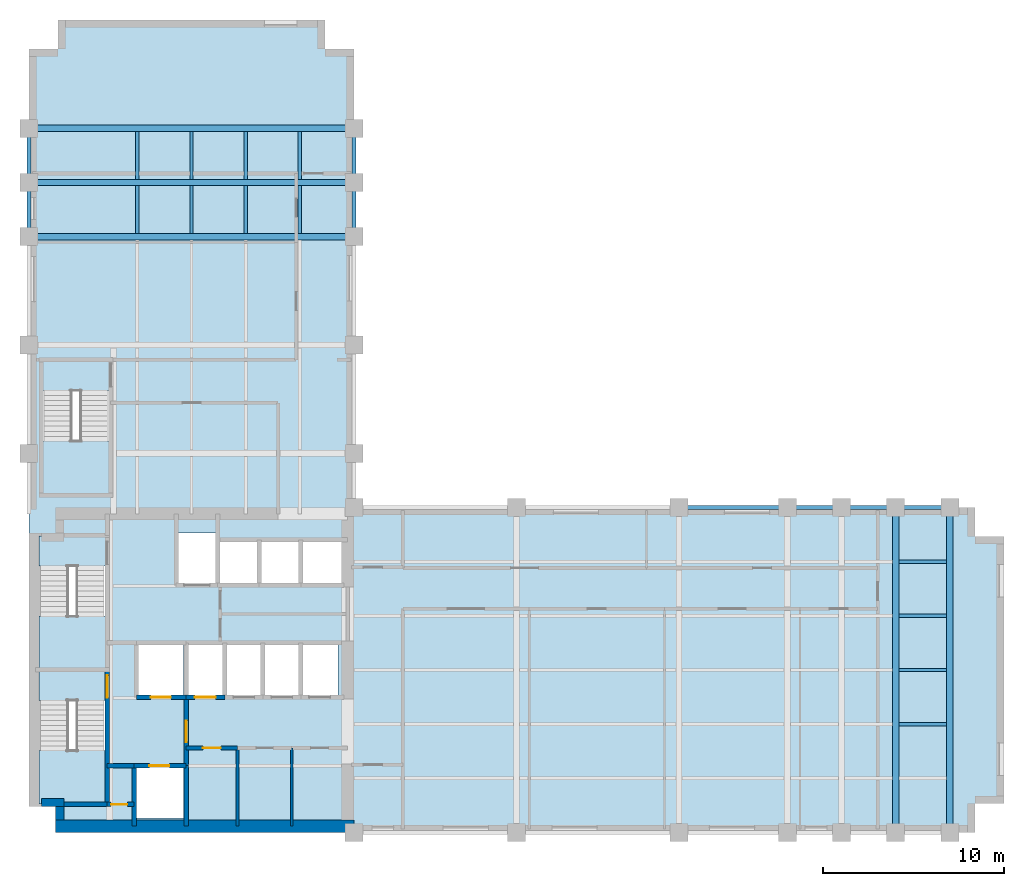
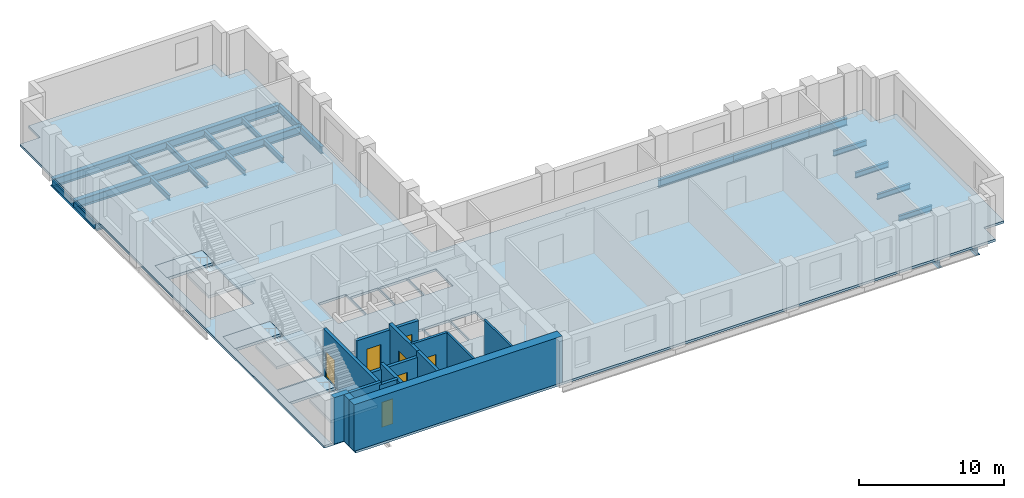
# One storey, part 2 of 7: 25 beams, 16 walls, 7 doors, 7 slabs, 7 openings, 3 elements without a shape of their own.
"""IFC4 building model written with IfcOpenShell, lengths in metres."""

from ifc_helpers import new_model, si_unit, direction, frame, frame_2d, origin, origin_2d, place, context, subcontext, project, spatial, polyline, rectangle, i_section, outline, extrude, material, layer, layer_set, material_profile, profile_set, type_object, element, fill, aggregate, save


model = new_model("IFC4")

# Units and contexts
model_context = context("Model", 3, precision=1e-05, world=origin(), true_north=direction((0.0, 1.0)))
body_context = subcontext(model_context, "Body", "Model", "MODEL_VIEW")
ifc_project = project(units=[si_unit("LENGTHUNIT", "METRE"), si_unit("AREAUNIT", "SQUARE_METRE"), si_unit("VOLUMEUNIT", "CUBIC_METRE"), si_unit("PLANEANGLEUNIT", "RADIAN"), si_unit("MASSUNIT", "GRAM", prefix="KILO")], contexts=[model_context])

# Site, building, storey
site_placement = place(None, origin())
site = spatial("IfcSite", under=ifc_project, at=site_placement, CompositionType="ELEMENT")
building_placement = place(site_placement, origin())
building = spatial("IfcBuilding", under=site, at=building_placement, Name="Mawjdan Bourse Tower", CompositionType="ELEMENT")
storey_placement = place(building_placement, frame((0.0, 0.0, 136.199951171875)))
storey = spatial("IfcBuildingStorey", under=building, at=storey_placement, Name="L32", CompositionType="ELEMENT", Elevation=136.199951171875)

# Beams
ifc_material_1 = material(Name="Structural Steel S355", Category="steel")
ifc_material_profile_1 = material_profile(ifc_material_1, i_section(OverallWidth=0.35498046875, OverallDepth=0.696044921875, WebThickness=0.015380859375, FlangeThickness=0.02490234375, FilletRadius=0.019775390625, at=origin_2d()), Name="W27X146")
ifc_profile_set_1 = profile_set([ifc_material_profile_1], Name="Structural Steel S355")
beam_type_1 = type_object("IfcBeamType", Name="GRD-W27X146", PredefinedType="BEAM", material=ifc_profile_set_1)
for number, where, z_axis, x_axis, name in (
    (1, (54.0, 3.0, -0.5478515625), (0.0, 1.0, 0.0), (-1.0, 0.0, 0.0), "L32 East Wing Clear-Span Girder 006"),
    (2, (57.0, 3.0, -0.5478515625), (0.0, 1.0, 0.0), (-1.0, 0.0, 0.0), "L32 East Wing Clear-Span Girder 007"),
    (3, (6.0, 36.0, -0.5478515625), (1.0, 0.0, 0.0), (0.0, 1.0, 0.0), "L32 North Wing Clear-Span Girder 057"),
    (4, (6.0, 39.0, -0.5478515625), (1.0, 0.0, 0.0), (0.0, 1.0, 0.0), "L32 North Wing Clear-Span Girder 058"),
    (5, (6.0, 42.0, -0.5478515625), (1.0, 0.0, 0.0), (0.0, 1.0, 0.0), "L32 North Wing Clear-Span Girder 059"),
):
    element("IfcBeam", number, at=place(storey_placement, frame(where, z_axis=z_axis, x_axis=x_axis)), inside=storey, type_object=beam_type_1, Name=name, PredefinedType="BEAM", context=body_context, shape_type="SweptSolid", body=[
        extrude(i_section(OverallWidth=0.35498046875, OverallDepth=0.696044921875, WebThickness=0.015380859375, FlangeThickness=0.02490234375, FilletRadius=0.019775390625, at=origin_2d()), origin(), (0.0, 0.0, 1.0), 18.0),
    ])
ifc_material_profile_2 = material_profile(ifc_material_1, i_section(OverallWidth=0.18994140625, OverallDepth=0.45703125, WebThickness=0.009033203125, FlangeThickness=0.014404296875, FilletRadius=0.01171875, at=origin_2d()), Name="W18X50")
ifc_profile_set_2 = profile_set([ifc_material_profile_2], Name="Structural Steel S355")
beam_type_2 = type_object("IfcBeamType", Name="JST-W18X50", PredefinedType="JOIST", material=ifc_profile_set_2)
for number, where, z_axis, x_axis, name in (
    (6, (54.175537109375, 9.0, -0.428466796875), (1.0, 0.0, 0.0), (0.0, 1.0, 0.0), "L32 East Wing Composite Joist 031"),
    (7, (54.175537109375, 12.0, -0.428466796875), (1.0, 0.0, 0.0), (0.0, 1.0, 0.0), "L32 East Wing Composite Joist 037"),
    (8, (54.175537109375, 15.0, -0.428466796875), (1.0, 0.0, 0.0), (0.0, 1.0, 0.0), "L32 East Wing Composite Joist 043"),
    (9, (54.175537109375, 18.0, -0.428466796875), (1.0, 0.0, 0.0), (0.0, 1.0, 0.0), "L32 East Wing Composite Joist 049"),
    (10, (12.0, 36.175537109375, -0.428466796875), (0.0, 1.0, 0.0), (-1.0, 0.0, 0.0), "L32 North Wing Composite Joist 073"),
    (11, (12.0, 39.175537109375, -0.428466796875), (0.0, 1.0, 0.0), (-1.0, 0.0, 0.0), "L32 North Wing Composite Joist 074"),
    (12, (15.0, 36.175537109375, -0.428466796875), (0.0, 1.0, 0.0), (-1.0, 0.0, 0.0), "L32 North Wing Composite Joist 078"),
    (13, (15.0, 39.175537109375, -0.428466796875), (0.0, 1.0, 0.0), (-1.0, 0.0, 0.0), "L32 North Wing Composite Joist 079"),
    (14, (18.0, 36.175537109375, -0.428466796875), (0.0, 1.0, 0.0), (-1.0, 0.0, 0.0), "L32 North Wing Composite Joist 083"),
    (15, (18.0, 39.175537109375, -0.428466796875), (0.0, 1.0, 0.0), (-1.0, 0.0, 0.0), "L32 North Wing Composite Joist 084"),
    (16, (21.0, 36.175537109375, -0.428466796875), (0.0, 1.0, 0.0), (-1.0, 0.0, 0.0), "L32 North Wing Composite Joist 088"),
    (17, (21.0, 39.175537109375, -0.428466796875), (0.0, 1.0, 0.0), (-1.0, 0.0, 0.0), "L32 North Wing Composite Joist 089"),
):
    element("IfcBeam", number, at=place(storey_placement, frame(where, z_axis=z_axis, x_axis=x_axis)), inside=storey, type_object=beam_type_2, Name=name, PredefinedType="JOIST", context=body_context, shape_type="SweptSolid", body=[
        extrude(i_section(OverallWidth=0.18994140625, OverallDepth=0.45703125, WebThickness=0.009033203125, FlangeThickness=0.014404296875, FilletRadius=0.01171875, at=origin_2d()), origin(), (0.0, 0.0, 1.0), 2.64892578125),
    ])
ifc_material_profile_3 = material_profile(ifc_material_1, i_section(OverallWidth=0.22998046875, OverallDepth=0.616943359375, WebThickness=0.01318359375, FlangeThickness=0.022216796875, FilletRadius=0.017822265625, at=origin_2d()), Name="W24X94")
ifc_profile_set_3 = profile_set([ifc_material_profile_3], Name="Structural Steel S355")
beam_type_3 = type_object("IfcBeamType", Name="SPN-W24X94", PredefinedType="SPANDREL", material=ifc_profile_set_3)
beam_placement = place(storey_placement, frame((42.0, 21.0, -0.508544921875), z_axis=(1.0, 0.0, 0.0), x_axis=(0.0, 1.0, 0.0)))
element("IfcBeam", 18, at=beam_placement, inside=storey, type_object=beam_type_3, Name="L32 Perimeter Masonry-Shelf Spandrel 016", PredefinedType="SPANDREL", context=body_context, shape_type="SweptSolid", body=[
    extrude(i_section(OverallWidth=0.22998046875, OverallDepth=0.616943359375, WebThickness=0.01318359375, FlangeThickness=0.022216796875, FilletRadius=0.017822265625, at=origin_2d()), origin(), (0.0, 0.0, 1.0), 6.0),
])
for number, where, z_axis, x_axis, name in (
    (19, (48.0, 21.0, -0.508544921875), (1.0, 0.0, 0.0), (0.0, 1.0, 0.0), "L32 Perimeter Masonry-Shelf Spandrel 017"),
    (20, (51.0, 21.0, -0.508544921875), (1.0, 0.0, 0.0), (0.0, 1.0, 0.0), "L32 Perimeter Masonry-Shelf Spandrel 018"),
    (21, (54.0, 21.0, -0.508544921875), (1.0, 0.0, 0.0), (0.0, 1.0, 0.0), "L32 Perimeter Masonry-Shelf Spandrel 019"),
    (22, (6.0, 36.0, -0.508544921875), (0.0, 1.0, 0.0), (-1.0, 0.0, 0.0), "L32 North Wing Spandrel 063"),
    (23, (6.0, 39.0, -0.508544921875), (0.0, 1.0, 0.0), (-1.0, 0.0, 0.0), "L32 North Wing Spandrel 064"),
    (24, (24.0, 36.0, -0.508544921875), (0.0, 1.0, 0.0), (-1.0, 0.0, 0.0), "L32 North Wing Spandrel 068"),
    (25, (24.0, 39.0, -0.508544921875), (0.0, 1.0, 0.0), (-1.0, 0.0, 0.0), "L32 North Wing Spandrel 069"),
):
    element("IfcBeam", number, at=place(storey_placement, frame(where, z_axis=z_axis, x_axis=x_axis)), inside=storey, type_object=beam_type_3, Name=name, PredefinedType="SPANDREL", context=body_context, shape_type="SweptSolid", body=[
        extrude(i_section(OverallWidth=0.22998046875, OverallDepth=0.616943359375, WebThickness=0.01318359375, FlangeThickness=0.022216796875, FilletRadius=0.017822265625, at=origin_2d()), origin(), (0.0, 0.0, 1.0), 3.0),
    ])

# Stair, slabs
ifc_material_2 = material(Name="Concrete C50/60", Category="concrete")
stair_type = type_object("IfcStairType", Name="STR-CORE-1500", PredefinedType="HALF_TURN_STAIR", material=ifc_material_2)
stair_1_placement = place(storey_placement, origin())
stair_1 = element("IfcStair", 26, at=stair_1_placement, inside=storey, type_object=stair_type, Name="L32 Exit Stair 1 (Core South-West)", PredefinedType="HALF_TURN_STAIR")
ifc_layer_1 = layer(ifc_material_2, 0.22998046875)
ifc_layer_set_1 = layer_set([ifc_layer_1], Name="Concrete C50/60")
slab_type_1 = type_object("IfcSlabType", Name="SL-LND-230", PredefinedType="LANDING", material=ifc_layer_set_1)
slab_1_placement = place(storey_placement, frame((0.0, 0.0, -0.22998046875)))
slab_1 = element("IfcSlab", 27, at=slab_1_placement, type_object=slab_type_1, Name="ST1-L32 landing 1", PredefinedType="LANDING", context=body_context, shape_type="SweptSolid", body=[
    extrude(outline(polyline([(6.5400390625, 10.31005859375), (10.260009765625, 10.31005859375), (10.260009765625, 11.969970703125), (6.5400390625, 11.969970703125), (6.5400390625, 10.31005859375)])), origin(), (0.0, 0.0, 1.0), 0.22998046875),
])
slab_2_placement = place(storey_placement, frame((0.0, 0.0, 1.719970703125)))
slab_2 = element("IfcSlab", 28, at=slab_2_placement, type_object=slab_type_1, Name="ST1-L32 landing 2", PredefinedType="LANDING", context=body_context, shape_type="SweptSolid", body=[
    extrude(outline(polyline([(6.5400390625, 4.590087890625), (10.260009765625, 4.590087890625), (10.260009765625, 7.5400390625), (6.5400390625, 7.5400390625), (6.5400390625, 4.590087890625)])), origin(), (0.0, 0.0, 1.0), 0.22998046875),
])
aggregate(stair_1, [slab_1, slab_2])

stair_2_placement = place(storey_placement, origin())
stair_2 = element("IfcStair", 29, at=stair_2_placement, inside=storey, type_object=stair_type, Name="L32 Exit Stair 2 (Core North-West)", PredefinedType="HALF_TURN_STAIR")
slab_3_placement = place(storey_placement, frame((0.0, 0.0, -0.22998046875)))
slab_3 = element("IfcSlab", 30, at=slab_3_placement, type_object=slab_type_1, Name="ST2-L32 landing 1", PredefinedType="LANDING", context=body_context, shape_type="SweptSolid", body=[
    extrude(outline(polyline([(6.5400390625, 17.75), (10.260009765625, 17.75), (10.260009765625, 19.409912109375), (6.5400390625, 19.409912109375), (6.5400390625, 17.75)])), origin(), (0.0, 0.0, 1.0), 0.22998046875),
])
slab_4_placement = place(storey_placement, frame((0.0, 0.0, 1.719970703125)))
slab_4 = element("IfcSlab", 31, at=slab_4_placement, type_object=slab_type_1, Name="ST2-L32 landing 2", PredefinedType="LANDING", context=body_context, shape_type="SweptSolid", body=[
    extrude(outline(polyline([(6.5400390625, 12.030029296875), (10.260009765625, 12.030029296875), (10.260009765625, 14.97998046875), (6.5400390625, 14.97998046875), (6.5400390625, 12.030029296875)])), origin(), (0.0, 0.0, 1.0), 0.22998046875),
])
aggregate(stair_2, [slab_3, slab_4])

stair_3_placement = place(storey_placement, origin())
stair_3 = element("IfcStair", 32, at=stair_3_placement, inside=storey, type_object=stair_type, Name="L32 Exit Stair 3 (North Wing)", PredefinedType="HALF_TURN_STAIR")
slab_5_placement = place(storey_placement, frame((0.0, 0.0, -0.22998046875)))
slab_5 = element("IfcSlab", 33, at=slab_5_placement, type_object=slab_type_1, Name="ST3-L32 landing 1", PredefinedType="LANDING", context=body_context, shape_type="SweptSolid", body=[
    extrude(outline(polyline([(6.739990234375, 27.4599609375), (10.4599609375, 27.4599609375), (10.4599609375, 29.1201171875), (6.739990234375, 29.1201171875), (6.739990234375, 27.4599609375)])), origin(), (0.0, 0.0, 1.0), 0.22998046875),
])
slab_6_placement = place(storey_placement, frame((0.0, 0.0, 1.719970703125)))
slab_6 = element("IfcSlab", 34, at=slab_6_placement, type_object=slab_type_1, Name="ST3-L32 landing 2", PredefinedType="LANDING", context=body_context, shape_type="SweptSolid", body=[
    extrude(outline(polyline([(6.739990234375, 21.739990234375), (10.4599609375, 21.739990234375), (10.4599609375, 24.68994140625), (6.739990234375, 24.68994140625), (6.739990234375, 21.739990234375)])), origin(), (0.0, 0.0, 1.0), 0.22998046875),
])
aggregate(stair_3, [slab_5, slab_6])

# Slab
ifc_layer_2 = layer(ifc_material_2, 0.199951171875)
ifc_layer_set_2 = layer_set([ifc_layer_2], Name="Concrete C50/60")
slab_type_2 = type_object("IfcSlabType", Name="SL-OFC-200", PredefinedType="FLOOR", material=ifc_layer_set_2)
slab_7_placement = place(storey_placement, frame((0.0, 0.0, -0.199951171875)))
element("IfcSlab", 35, at=slab_7_placement, inside=storey, type_object=slab_type_2, Name="L32 Structural Floor Slab 1", PredefinedType="FLOOR", context=body_context, shape_type="SweptSolid", body=[
    extrude(outline(polyline([(7.60009765625, 3.0), (58.39990234375, 3.0), (58.39990234375, 4.60009765625), (60.0, 4.60009765625), (60.0, 19.39990234375), (58.39990234375, 19.39990234375), (58.39990234375, 21.0), (24.0, 21.0), (24.0, 46.39990234375), (22.39990234375, 46.39990234375), (22.39990234375, 48.0), (7.60009765625, 48.0), (7.60009765625, 46.39990234375), (6.0, 46.39990234375), (6.0, 4.60009765625), (7.60009765625, 4.60009765625), (7.60009765625, 3.0)]), holes=[polyline([(11.949951171875, 3.800048828125), (11.949951171875, 6.60009765625), (14.550048828125, 6.60009765625), (14.550048828125, 3.800048828125), (11.949951171875, 3.800048828125)]), polyline([(6.60009765625, 10.31005859375), (6.5400390625, 10.31005859375), (6.5400390625, 11.969970703125), (10.260009765625, 11.969970703125), (10.260009765625, 10.31005859375), (10.199951171875, 10.31005859375), (10.199951171875, 4.64990234375), (6.60009765625, 4.64990234375), (6.60009765625, 10.31005859375)]), polyline([(12.050048828125, 10.60009765625), (12.050048828125, 13.39990234375), (14.550048828125, 13.39990234375), (14.550048828125, 10.60009765625), (12.050048828125, 10.60009765625)]), polyline([(10.260009765625, 19.409912109375), (10.260009765625, 17.75), (10.199951171875, 17.75), (10.199951171875, 12.090087890625), (6.60009765625, 12.090087890625), (6.60009765625, 17.75), (6.5400390625, 17.75), (6.5400390625, 19.409912109375), (10.260009765625, 19.409912109375)]), polyline([(10.4599609375, 29.1201171875), (10.4599609375, 27.4599609375), (10.39990234375, 27.4599609375), (10.39990234375, 21.800048828125), (6.800048828125, 21.800048828125), (6.800048828125, 27.4599609375), (6.739990234375, 27.4599609375), (6.739990234375, 29.1201171875), (10.4599609375, 29.1201171875)]), polyline([(14.800048828125, 10.60009765625), (14.800048828125, 13.39990234375), (16.800048828125, 13.39990234375), (16.800048828125, 10.60009765625), (14.800048828125, 10.60009765625)]), polyline([(16.89990234375, 10.60009765625), (16.89990234375, 13.39990234375), (18.89990234375, 13.39990234375), (18.89990234375, 10.60009765625), (16.89990234375, 10.60009765625)]), polyline([(19.0, 10.60009765625), (19.0, 13.39990234375), (21.0, 13.39990234375), (21.0, 10.60009765625), (19.0, 10.60009765625)]), polyline([(21.10009765625, 10.60009765625), (21.10009765625, 13.39990234375), (23.10009765625, 13.39990234375), (23.10009765625, 10.60009765625), (21.10009765625, 10.60009765625)]), polyline([(16.5, 16.800048828125), (16.5, 19.14990234375), (18.699951171875, 19.14990234375), (18.699951171875, 16.800048828125), (16.5, 16.800048828125)]), polyline([(18.800048828125, 16.800048828125), (18.800048828125, 19.14990234375), (21.0, 19.14990234375), (21.0, 16.800048828125), (18.800048828125, 16.800048828125)]), polyline([(21.10009765625, 16.800048828125), (21.10009765625, 19.14990234375), (23.300048828125, 19.14990234375), (23.300048828125, 16.800048828125), (21.10009765625, 16.800048828125)]), polyline([(14.199951171875, 16.800048828125), (14.199951171875, 19.60009765625), (16.39990234375, 19.60009765625), (16.39990234375, 16.800048828125), (14.199951171875, 16.800048828125)])]), origin(), (0.0, 0.0, 1.0), 0.199951171875),
])

# Wall, opening, door
ifc_material_3 = material(Name="Gypsum Fireboard Assembly")
ifc_layer_3 = layer(ifc_material_3, 0.199951171875)
ifc_layer_set_3 = layer_set([ifc_layer_3], Name="Gypsum Fireboard Assembly")
wall_type_1 = type_object("IfcWallType", Name="WL-CMP-200", PredefinedType="PARTITIONING", material=ifc_layer_set_3)
wall_1_placement = place(storey_placement, frame((14.699951171875, 7.679931640625, 0.0), z_axis=(0.0, 0.0, 1.0), x_axis=(1.0, 0.0, 0.0)))
wall_1 = element("IfcWall", 36, at=wall_1_placement, inside=storey, type_object=wall_type_1, Name="L32 Archive & Records Office North Wall", PredefinedType="PARTITIONING", context=body_context, shape_type="SweptSolid", body=[
    extrude(rectangle(XDim=2.85009765625, YDim=0.199951171875, at=frame_2d((1.425048828125, 0.0))), origin(), (0.0, 0.0, 1.0), 3.68994140625),
])
opening_1_placement = place(wall_1_placement, frame((0.925048828125, 0.0, 0.0)))
opening_1 = element("IfcOpeningElement", 37, at=opening_1_placement, cuts=wall_1, Name="Opening D-L32-10", PredefinedType="OPENING", context=body_context, shape_type="SweptSolid", body=[
    extrude(rectangle(XDim=1.0, YDim=2.14990234375, at=frame_2d((0.5, 1.074951171875))), frame((0.0, 0.10986328125, 0.0), z_axis=(0.0, -1.0, 0.0), x_axis=(1.0, 0.0, 0.0)), (0.0, 0.0, 1.0), 0.219970703125),
])
ifc_material_4 = material(Name="Hardwood Acoustic Leaf", Category="wood")
door_type_1 = type_object("IfcDoorType", Name="DR-OFC-1000", OperationType="NOTDEFINED", PredefinedType="DOOR", material=ifc_material_4)
door_1_placement = place(opening_1_placement, origin())
door_1 = element("IfcDoor", 38, at=door_1_placement, inside=storey, type_object=door_type_1, Name="L32 Archive & Records Office Door D-L32-10", OperationType="SINGLE_SWING_LEFT", OverallHeight=2.14990234375, OverallWidth=1.0, PredefinedType="DOOR", context=body_context, shape_type="SweptSolid", body=[
    extrude(rectangle(XDim=1.0, YDim=2.14990234375, at=frame_2d((0.5, 1.074951171875))), frame((0.0, 0.02490234375, 0.0), z_axis=(0.0, -1.0, 0.0), x_axis=(1.0, 0.0, 0.0)), (0.0, 0.0, 1.0), 0.050048828125),
])
fill(opening_1, door_1)

# Walls
ifc_material_5 = material(Name="Concrete C60/75", Category="concrete")
ifc_layer_4 = layer(ifc_material_5, 0.449951171875)
ifc_layer_set_4 = layer_set([ifc_layer_4], Name="Concrete C60/75")
wall_type_2 = type_object("IfcWallType", Name="WL-CORE-450", PredefinedType="SHEAR", material=ifc_layer_set_4)
wall_2_placement = place(storey_placement, frame((6.699951171875, 4.64990234375, 0.0), z_axis=(0.0, 0.0, 1.0), x_axis=(1.0, 0.0, 0.0)))
element("IfcWall", 39, at=wall_2_placement, inside=storey, type_object=wall_type_2, Name="L32 Rear Core Shear Wall SW-X", PredefinedType="SHEAR", context=body_context, shape_type="SweptSolid", body=[
    extrude(rectangle(XDim=1.22509765625, YDim=0.449951171875, at=frame_2d((0.612548828125, 0.0))), origin(), (0.0, 0.0, 1.0), 3.900146484375),
])
wall_3_placement = place(storey_placement, frame((7.699951171875, 3.699951171875, 0.0), z_axis=(0.0, 0.0, 1.0), x_axis=(0.0, 1.0, 0.0)))
element("IfcWall", 40, at=wall_3_placement, inside=storey, type_object=wall_type_2, Name="L32 Rear Core Shear Wall SW-Y", PredefinedType="SHEAR", context=body_context, shape_type="SweptSolid", body=[
    extrude(rectangle(XDim=0.72509765625, YDim=0.449951171875, at=frame_2d((0.362548828125, 0.0))), origin(), (0.0, 0.0, 1.0), 3.900146484375),
])
ifc_material_6 = material(Name="Concrete C70/85", Category="concrete")
ifc_layer_5 = layer(ifc_material_6, 0.699951171875)
ifc_layer_set_5 = layer_set([ifc_layer_5], Name="Concrete C70/85")
wall_type_3 = type_object("IfcWallType", Name="WL-CORE-700", PredefinedType="SHEAR", material=ifc_layer_set_5)
wall_4_placement = place(storey_placement, frame((7.47509765625, 3.35009765625, 0.0), z_axis=(0.0, 0.0, 1.0), x_axis=(1.0, 0.0, 0.0)))
element("IfcWall", 41, at=wall_4_placement, inside=storey, type_object=wall_type_3, Name="L32 Rear Core Shear Wall S", PredefinedType="SHEAR", context=body_context, shape_type="SweptSolid", body=[
    extrude(rectangle(XDim=16.52490234375, YDim=0.699951171875, at=frame_2d((8.262451171875, 0.0))), origin(), (0.0, 0.0, 1.0), 3.900146484375),
])
ifc_material_7 = material(Name="Gypsum Acoustic Partition")
ifc_layer_6 = layer(ifc_material_7, 0.14990234375)
ifc_layer_set_6 = layer_set([ifc_layer_6], Name="Gypsum Acoustic Partition")
wall_type_4 = type_object("IfcWallType", Name="WL-PRT-150", PredefinedType="PARTITIONING", material=ifc_layer_set_6)
for number, where, z_axis, x_axis, name in (
    (42, (17.550048828125, 3.35009765625, 0.0), (0.0, 0.0, 1.0), (0.0, 1.0, 0.0), "L32 IT & Fiber Patch Room Core Split Wall"),
    (43, (20.550048828125, 3.35009765625, 0.0), (0.0, 0.0, 1.0), (0.0, 1.0, 0.0), "L32 Staff Tea Pantry Core Split Wall"),
):
    element("IfcWall", number, at=place(storey_placement, frame(where, z_axis=z_axis, x_axis=x_axis)), inside=storey, type_object=wall_type_4, Name=name, PredefinedType="PARTITIONING", context=body_context, shape_type="SweptSolid", body=[
        extrude(rectangle(XDim=4.329833984375, YDim=0.14990234375, at=frame_2d((2.1650390625, 0.0))), origin(), (0.0, 0.0, 1.0), 3.68994140625),
    ])

# Wall, opening, door
ifc_layer_7 = layer(ifc_material_2, 0.25)
ifc_layer_set_7 = layer_set([ifc_layer_7], Name="Concrete C50/60")
wall_type_5 = type_object("IfcWallType", Name="WL-SHFT-250", PredefinedType="PARTITIONING", material=ifc_layer_set_7)
wall_5_placement = place(storey_placement, frame((10.330078125, 4.550048828125, 0.0), z_axis=(0.0, 0.0, 1.0), x_axis=(1.0, 0.0, 0.0)))
wall_5 = element("IfcWall", 44, at=wall_5_placement, inside=storey, type_object=wall_type_5, Name="L32 SW Riser North Wall", PredefinedType="PARTITIONING", context=body_context, shape_type="SweptSolid", body=[
    extrude(rectangle(XDim=1.489990234375, YDim=0.25, at=frame_2d((0.7451171875, 0.0))), origin(), (0.0, 0.0, 1.0), 3.68994140625),
])
opening_2_placement = place(wall_5_placement, frame((0.219970703125, 0.0, 0.0)))
opening_2 = element("IfcOpeningElement", 45, at=opening_2_placement, cuts=wall_5, Name="Opening RD-L32-03", PredefinedType="OPENING", context=body_context, shape_type="SweptSolid", body=[
    extrude(rectangle(XDim=0.89990234375, YDim=2.10009765625, at=frame_2d((0.449951171875, 1.050048828125))), frame((0.0, 0.135009765625, 0.0), z_axis=(0.0, -1.0, 0.0), x_axis=(1.0, 0.0, 0.0)), (0.0, 0.0, 1.0), 0.27001953125),
])
ifc_material_8 = material(Name="Fire-Rated Steel Access Leaf", Category="steel")
door_type_2 = type_object("IfcDoorType", Name="FD-RSR-0900", OperationType="NOTDEFINED", PredefinedType="TRAPDOOR", material=ifc_material_8)
door_2_placement = place(opening_2_placement, origin())
door_2 = element("IfcDoor", 46, at=door_2_placement, inside=storey, type_object=door_type_2, Name="L32 Electrical Riser Access Door RD-L32-03", OperationType="SINGLE_SWING_LEFT", OverallHeight=2.10009765625, OverallWidth=0.89990234375, PredefinedType="TRAPDOOR", context=body_context, shape_type="SweptSolid", body=[
    extrude(rectangle(XDim=0.89990234375, YDim=2.10009765625, at=frame_2d((0.449951171875, 1.050048828125))), frame((0.0, 0.02490234375, 0.0), z_axis=(0.0, -1.0, 0.0), x_axis=(1.0, 0.0, 0.0)), (0.0, 0.0, 1.0), 0.050048828125),
])
fill(opening_2, door_2)

# Wall
wall_6_placement = place(storey_placement, frame((11.820068359375, 3.35009765625, 0.0), z_axis=(0.0, 0.0, 1.0), x_axis=(0.0, 1.0, 0.0)))
element("IfcWall", 47, at=wall_6_placement, inside=storey, type_object=wall_type_5, Name="L32 SW Riser & FFL01 West Wall", PredefinedType="PARTITIONING", context=body_context, shape_type="SweptSolid", body=[
    extrude(rectangle(XDim=3.349853515625, YDim=0.25, at=frame_2d((1.6748046875, 0.0))), origin(), (0.0, 0.0, 1.0), 3.68994140625),
])

# Wall, opening, door
wall_7_placement = place(storey_placement, frame((11.820068359375, 6.699951171875, 0.0), z_axis=(0.0, 0.0, 1.0), x_axis=(1.0, 0.0, 0.0)))
wall_7 = element("IfcWall", 48, at=wall_7_placement, inside=storey, type_object=wall_type_5, Name="L32 FFL-01 Front Shaft Wall", PredefinedType="PARTITIONING", context=body_context, shape_type="SweptSolid", body=[
    extrude(rectangle(XDim=2.8798828125, YDim=0.25, at=frame_2d((1.43994140625, 0.0))), origin(), (0.0, 0.0, 1.0), 3.233154296875),
])
opening_3_placement = place(wall_7_placement, frame((0.85009765625, 0.0, 0.0)))
opening_3 = element("IfcOpeningElement", 49, at=opening_3_placement, cuts=wall_7, Name="Opening LD-L32-05", PredefinedType="OPENING", context=body_context, shape_type="SweptSolid", body=[
    extrude(rectangle(XDim=1.10009765625, YDim=2.25, at=frame_2d((0.550048828125, 1.125))), frame((0.0, 0.135009765625, 0.0), z_axis=(0.0, -1.0, 0.0), x_axis=(1.0, 0.0, 0.0)), (0.0, 0.0, 1.0), 0.27001953125),
])
ifc_material_9 = material(Name="Brushed Stainless Steel", Category="steel")
door_type_3 = type_object("IfcDoorType", Name="LD-FFL-1100", OperationType="DOUBLE_DOOR_SLIDING", PredefinedType="DOOR", material=ifc_material_9)
door_3_placement = place(opening_3_placement, origin())
door_3 = element("IfcDoor", 50, at=door_3_placement, inside=storey, type_object=door_type_3, Name="L32 Firefighting Lift FFL-01 Landing Door LD-L32-05", OperationType="DOUBLE_DOOR_SLIDING", OverallHeight=2.25, OverallWidth=1.10009765625, PredefinedType="DOOR", context=body_context, shape_type="SweptSolid", body=[
    extrude(rectangle(XDim=1.10009765625, YDim=2.25, at=frame_2d((0.550048828125, 1.125))), frame((0.0, 0.02490234375, 0.0), z_axis=(0.0, -1.0, 0.0), x_axis=(1.0, 0.0, 0.0)), (0.0, 0.0, 1.0), 0.050048828125),
])
fill(opening_3, door_3)

# Wall
wall_8_placement = place(storey_placement, frame((14.699951171875, 3.35009765625, 0.0), z_axis=(0.0, 0.0, 1.0), x_axis=(0.0, 1.0, 0.0)))
element("IfcWall", 51, at=wall_8_placement, inside=storey, type_object=wall_type_5, Name="L32 FFL-01 East Shaft Wall", PredefinedType="PARTITIONING", context=body_context, shape_type="SweptSolid", body=[
    extrude(rectangle(XDim=3.349853515625, YDim=0.25, at=frame_2d((1.6748046875, 0.0))), origin(), (0.0, 0.0, 1.0), 3.68994140625),
])

# Wall, opening, door
wall_9_placement = place(storey_placement, frame((11.949951171875, 10.5, 0.0), z_axis=(0.0, 0.0, 1.0), x_axis=(1.0, 0.0, 0.0)))
wall_9 = element("IfcWall", 52, at=wall_9_placement, inside=storey, type_object=wall_type_5, Name="L32 FFL-02 Front Shaft Wall", PredefinedType="PARTITIONING", context=body_context, shape_type="SweptSolid", body=[
    extrude(rectangle(XDim=2.75, YDim=0.25, at=frame_2d((1.375, 0.0))), origin(), (0.0, 0.0, 1.0), 3.233154296875),
])
opening_4_placement = place(wall_9_placement, frame((0.800048828125, 0.0, 0.0)))
opening_4 = element("IfcOpeningElement", 53, at=opening_4_placement, cuts=wall_9, Name="Opening LD-L32-06", PredefinedType="OPENING", context=body_context, shape_type="SweptSolid", body=[
    extrude(rectangle(XDim=1.10009765625, YDim=2.25, at=frame_2d((0.550048828125, 1.125))), frame((0.0, 0.135009765625, 0.0), z_axis=(0.0, -1.0, 0.0), x_axis=(1.0, 0.0, 0.0)), (0.0, 0.0, 1.0), 0.27001953125),
])
door_4_placement = place(opening_4_placement, origin())
door_4 = element("IfcDoor", 54, at=door_4_placement, inside=storey, type_object=door_type_3, Name="L32 Firefighting Lift FFL-02 Landing Door LD-L32-06", OperationType="DOUBLE_DOOR_SLIDING", OverallHeight=2.25, OverallWidth=1.10009765625, PredefinedType="DOOR", context=body_context, shape_type="SweptSolid", body=[
    extrude(rectangle(XDim=1.10009765625, YDim=2.25, at=frame_2d((0.550048828125, 1.125))), frame((0.0, 0.02490234375, 0.0), z_axis=(0.0, -1.0, 0.0), x_axis=(1.0, 0.0, 0.0)), (0.0, 0.0, 1.0), 0.050048828125),
])
fill(opening_4, door_4)

wall_10_placement = place(storey_placement, frame((14.699951171875, 6.699951171875, 0.0), z_axis=(0.0, 0.0, 1.0), x_axis=(0.0, 1.0, 0.0)))
wall_10 = element("IfcWall", 55, at=wall_10_placement, inside=storey, type_object=wall_type_5, Name="L32 Firefighting Lobby East Compartment Wall", PredefinedType="PARTITIONING", context=body_context, shape_type="SweptSolid", body=[
    extrude(rectangle(XDim=3.800048828125, YDim=0.25, at=frame_2d((1.89990234375, 0.0))), origin(), (0.0, 0.0, 1.0), 3.68994140625),
])
opening_5_placement = place(wall_10_placement, frame((1.300048828125, 0.0, 0.0)))
opening_5 = element("IfcOpeningElement", 56, at=opening_5_placement, cuts=wall_10, Name="Opening FD-L32-07", PredefinedType="OPENING", context=body_context, shape_type="SweptSolid", body=[
    extrude(rectangle(XDim=1.199951171875, YDim=2.199951171875, at=frame_2d((0.60009765625, 1.10009765625))), frame((0.0, 0.135009765625, 0.0), z_axis=(0.0, -1.0, 0.0), x_axis=(1.0, 0.0, 0.0)), (0.0, 0.0, 1.0), 0.27001953125),
])
ifc_material_10 = material(Name="Fire-Rated Steel Leaf", Category="steel")
door_type_4 = type_object("IfcDoorType", Name="FD-FFL-1200", OperationType="NOTDEFINED", PredefinedType="DOOR", material=ifc_material_10)
door_5_placement = place(opening_5_placement, origin())
door_5 = element("IfcDoor", 57, at=door_5_placement, inside=storey, type_object=door_type_4, Name="L32 Firefighting Lobby East Smoke Door FD-L32-07", OperationType="SINGLE_SWING_LEFT", OverallHeight=2.199951171875, OverallWidth=1.199951171875, PredefinedType="DOOR", context=body_context, shape_type="SweptSolid", body=[
    extrude(rectangle(XDim=1.199951171875, YDim=2.199951171875, at=frame_2d((0.60009765625, 1.10009765625))), frame((0.0, 0.02490234375, 0.0), z_axis=(0.0, -1.0, 0.0), x_axis=(1.0, 0.0, 0.0)), (0.0, 0.0, 1.0), 0.050048828125),
])
fill(opening_5, door_5)

# Wall
wall_11_placement = place(storey_placement, frame((10.330078125, 6.699951171875, 0.0), z_axis=(0.0, 0.0, 1.0), x_axis=(1.0, 0.0, 0.0)))
element("IfcWall", 58, at=wall_11_placement, inside=storey, type_object=wall_type_5, Name="L32 Firefighting Lobby South Closure Wall", PredefinedType="PARTITIONING", context=body_context, shape_type="SweptSolid", body=[
    extrude(rectangle(XDim=1.489990234375, YDim=0.25, at=frame_2d((0.7451171875, 0.0))), origin(), (0.0, 0.0, 1.0), 3.233154296875),
])

# Wall, opening, door
wall_12_placement = place(storey_placement, frame((14.699951171875, 10.5, 0.0), z_axis=(0.0, 0.0, 1.0), x_axis=(1.0, 0.0, 0.0)))
wall_12 = element("IfcWall", 59, at=wall_12_placement, inside=storey, type_object=wall_type_5, Name="L32 PM-01 Front Wall", PredefinedType="PARTITIONING", context=body_context, shape_type="SweptSolid", body=[
    extrude(rectangle(XDim=2.150146484375, YDim=0.25, at=frame_2d((1.0751953125, 0.0))), origin(), (0.0, 0.0, 1.0), 3.233154296875),
])
opening_6_placement = place(wall_12_placement, frame((0.47998046875, 0.0, 0.0)))
opening_6 = element("IfcOpeningElement", 60, at=opening_6_placement, cuts=wall_12, Name="Opening LD-L32-13", PredefinedType="OPENING", context=body_context, shape_type="SweptSolid", body=[
    extrude(rectangle(XDim=1.14990234375, YDim=2.25, at=frame_2d((0.574951171875, 1.125))), frame((0.0, 0.135009765625, 0.0), z_axis=(0.0, -1.0, 0.0), x_axis=(1.0, 0.0, 0.0)), (0.0, 0.0, 1.0), 0.27001953125),
])
door_type_5 = type_object("IfcDoorType", Name="LD-PAS-1150", OperationType="DOUBLE_DOOR_SLIDING", PredefinedType="DOOR", material=ifc_material_9)
door_6_placement = place(opening_6_placement, origin())
door_6 = element("IfcDoor", 61, at=door_6_placement, inside=storey, type_object=door_type_5, Name="L32 Lift PM-01 Landing Door LD-L32-13", OperationType="DOUBLE_DOOR_SLIDING", OverallHeight=2.25, OverallWidth=1.14990234375, PredefinedType="DOOR", context=body_context, shape_type="SweptSolid", body=[
    extrude(rectangle(XDim=1.14990234375, YDim=2.25, at=frame_2d((0.574951171875, 1.125))), frame((0.0, 0.02490234375, 0.0), z_axis=(0.0, -1.0, 0.0), x_axis=(1.0, 0.0, 0.0)), (0.0, 0.0, 1.0), 0.050048828125),
])
fill(opening_6, door_6)

# Wall
ifc_layer_8 = layer(ifc_material_2, 0.25)
ifc_layer_set_8 = layer_set([ifc_layer_8], Name="Concrete C50/60")
wall_type_6 = type_object("IfcWallType", Name="WL-STRW-250", PredefinedType="SHEAR", material=ifc_layer_set_8)
wall_13_placement = place(storey_placement, frame((7.699951171875, 4.550048828125, 0.0), z_axis=(0.0, 0.0, 1.0), x_axis=(1.0, 0.0, 0.0)))
element("IfcWall", 62, at=wall_13_placement, inside=storey, type_object=wall_type_6, Name="L32 Stairwell ST1 South Shaft Wall", PredefinedType="SHEAR", context=body_context, shape_type="SweptSolid", body=[
    extrude(rectangle(XDim=2.755126953125, YDim=0.25, at=frame_2d((1.37744140625, 0.0))), origin(), (0.0, 0.0, 1.0), 3.900146484375),
])

# Wall, opening, door
wall_14_placement = place(storey_placement, frame((10.330078125, 4.550048828125, 0.0), z_axis=(0.0, 0.0, 1.0), x_axis=(0.0, 1.0, 0.0)))
wall_14 = element("IfcWall", 63, at=wall_14_placement, inside=storey, type_object=wall_type_6, Name="L32 Stairwell ST1 East Enclosure Wall", PredefinedType="SHEAR", context=body_context, shape_type="SweptSolid", body=[
    extrude(rectangle(XDim=7.449951171875, YDim=0.25, at=frame_2d((3.72509765625, 0.0))), origin(), (0.0, 0.0, 1.0), 3.900146484375),
])
opening_7_placement = place(wall_14_placement, frame((5.89990234375, 0.0, 0.0)))
opening_7 = element("IfcOpeningElement", 64, at=opening_7_placement, cuts=wall_14, Name="Opening SD-L32-01", PredefinedType="OPENING", context=body_context, shape_type="SweptSolid", body=[
    extrude(rectangle(XDim=1.25, YDim=2.199951171875, at=frame_2d((0.625, 1.10009765625))), frame((0.0, 0.135009765625, 0.0), z_axis=(0.0, -1.0, 0.0), x_axis=(1.0, 0.0, 0.0)), (0.0, 0.0, 1.0), 0.27001953125),
])
door_type_6 = type_object("IfcDoorType", Name="FD-ST-1250", OperationType="NOTDEFINED", PredefinedType="DOOR", material=ifc_material_10)
door_7_placement = place(opening_7_placement, origin())
door_7 = element("IfcDoor", 65, at=door_7_placement, inside=storey, type_object=door_type_6, Name="L32 Exit Stair ST1 Fire Door SD-L32-01", OperationType="SINGLE_SWING_LEFT", OverallHeight=2.199951171875, OverallWidth=1.25, PredefinedType="DOOR", context=body_context, shape_type="SweptSolid", body=[
    extrude(rectangle(XDim=1.25, YDim=2.199951171875, at=frame_2d((0.625, 1.10009765625))), frame((0.0, 0.02490234375, 0.0), z_axis=(0.0, -1.0, 0.0), x_axis=(1.0, 0.0, 0.0)), (0.0, 0.0, 1.0), 0.050048828125),
])
fill(opening_7, door_7)

save(model, "model.ifc")
